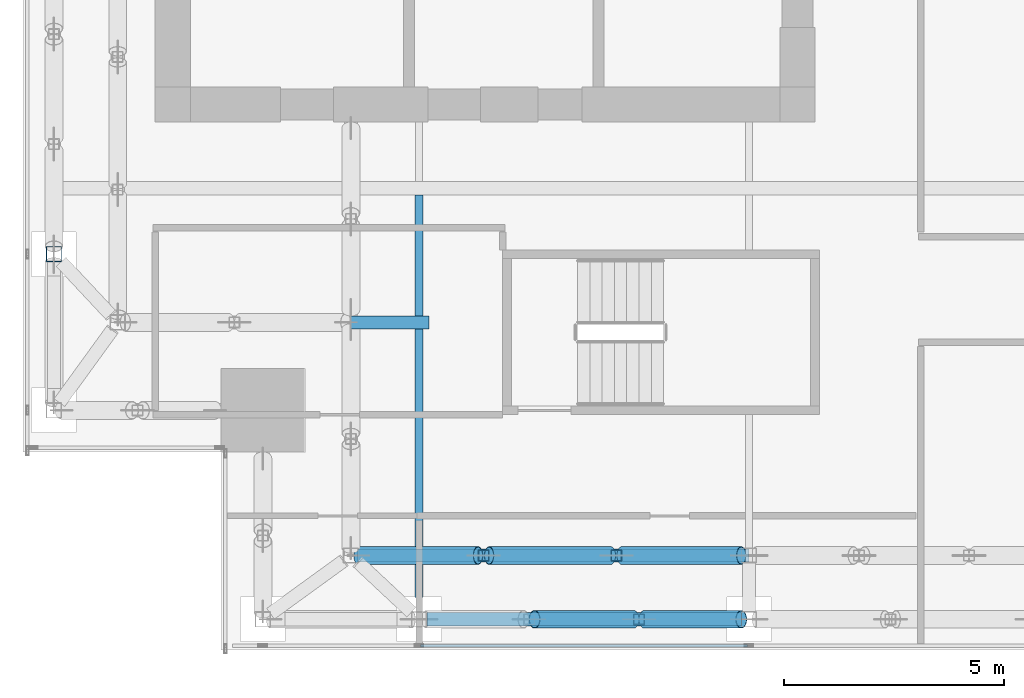
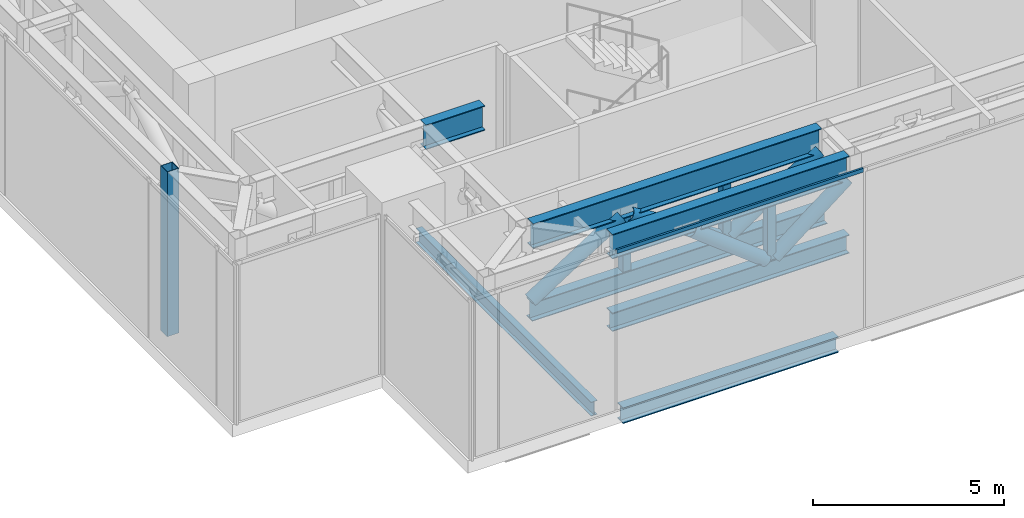
# One storey, part 3 of 36: 15 members, 2 beams, 1 element without a shape of its own.
"""IFC4 building model written with IfcOpenShell, lengths in metres."""

from ifc_helpers import new_model, si_unit, direction, frame, origin, origin_2d, place, context, subcontext, project, spatial, hollow_rectangle, hollow_circle, i_section, extrude, source, transform, mapped, material, material_profile, profile_set, type_object, element, aggregate, save


model = new_model("IFC4")

# Units and contexts
model_context = context("Model", 3, precision=1e-05, world=origin(), true_north=direction((0.0, 1.0)))
body_context = subcontext(model_context, "Body", "Model", "MODEL_VIEW")
ifc_project = project(units=[si_unit("LENGTHUNIT", "METRE"), si_unit("AREAUNIT", "SQUARE_METRE"), si_unit("VOLUMEUNIT", "CUBIC_METRE"), si_unit("PLANEANGLEUNIT", "RADIAN"), si_unit("MASSUNIT", "GRAM", prefix="KILO")], contexts=[model_context])

# Site, building, storey
site_placement = place(None, origin())
site = spatial("IfcSite", under=ifc_project, at=site_placement, CompositionType="ELEMENT")
building_placement = place(site_placement, origin())
building = spatial("IfcBuilding", under=site, at=building_placement, Name="Khomas Fold Tower", CompositionType="ELEMENT")
storey_placement = place(building_placement, frame((0.0, 0.0, 216.699951171875)))
storey = spatial("IfcBuildingStorey", under=building, at=storey_placement, Name="L48", CompositionType="ELEMENT", Elevation=216.699951171875)

# Beams
ifc_material_1 = material(Name="Steel S355", Category="steel")
ifc_material_profile_1 = material_profile(ifc_material_1, i_section(OverallWidth=0.300048828125, OverallDepth=0.5, WebThickness=0.014404296875, FlangeThickness=0.028076171875, at=origin_2d()), Name="HE 500 B")
ifc_profile_set_1 = profile_set([ifc_material_profile_1], Name="Steel S355")
beam_type_1 = type_object("IfcBeamType", Name="HE 500 B spandrel SB3", PredefinedType="SPANDREL", material=ifc_profile_set_1)
shared_shape_1 = source(origin(), body_context, "Body", "SweptSolid", [
    extrude(i_section(OverallWidth=0.300048828125, OverallDepth=0.5, WebThickness=0.014404296875, FlangeThickness=0.028076171875, at=origin_2d()), origin(), (0.0, 0.0, 1.0), 6.5),
])
beam_1_placement = place(storey_placement, frame((12.5, 3.699951171875, -0.64990234375), z_axis=(1.0, 0.0, 0.0), x_axis=(0.0, 1.0, 0.0)))
element("IfcBeam", 1, at=beam_1_placement, inside=storey, type_object=beam_type_1, Name="SB3", PredefinedType="SPANDREL", context=body_context, shape_type="MappedRepresentation", body=[
    mapped(shared_shape_1, transform((0.0, 0.0, 0.0))),
])
ifc_material_2 = material(Name="Steel S355", Category="steel")
ifc_material_profile_2 = material_profile(ifc_material_2, i_section(OverallWidth=0.18994140625, OverallDepth=0.449951171875, WebThickness=0.009521484375, FlangeThickness=0.0146484375, at=origin_2d()), Name="IPE 450")
ifc_profile_set_2 = profile_set([ifc_material_profile_2], Name="Steel S355")
beam_type_2 = type_object("IfcBeamType", Name="IPE 450 beam JB4", PredefinedType="BEAM", material=ifc_profile_set_2)
shared_shape_2 = source(origin(), body_context, "Body", "SweptSolid", [
    extrude(i_section(OverallWidth=0.18994140625, OverallDepth=0.449951171875, WebThickness=0.009521484375, FlangeThickness=0.0146484375, at=origin_2d()), origin(), (0.0, 0.0, 1.0), 9.150146484375),
])
beam_2_placement = place(storey_placement, frame((12.0, 4.199951171875, -0.625), z_axis=(0.0, 1.0, 0.0), x_axis=(-1.0, 0.0, 0.0)))
element("IfcBeam", 2, at=beam_2_placement, inside=storey, type_object=beam_type_2, Name="JB4", PredefinedType="BEAM", context=body_context, shape_type="MappedRepresentation", body=[
    mapped(shared_shape_2, transform((0.0, 0.0, 0.0))),
])

# Members
ifc_material_3 = material(Name="Steel S355", Category="steel")
ifc_material_profile_3 = material_profile(ifc_material_3, i_section(OverallWidth=0.300048828125, OverallDepth=0.7900390625, WebThickness=0.014892578125, FlangeThickness=0.028076171875, at=origin_2d()), Name="HE 800 A")
ifc_profile_set_3 = profile_set([ifc_material_profile_3], Name="Steel S355")
member_type_1 = type_object("IfcMemberType", Name="BELT TRUSS 3 TOP CHORD HE 800 A", PredefinedType="CHORD", material=ifc_profile_set_3)
shared_shape_3 = source(origin(), body_context, "Body", "SweptSolid", [
    extrude(i_section(OverallWidth=0.300048828125, OverallDepth=0.7900390625, WebThickness=0.014892578125, FlangeThickness=0.028076171875, at=origin_2d()), origin(), (0.0, 0.0, 1.0), 7.14990234375),
])
member_1_placement = place(storey_placement, frame((12.175048828125, 3.699951171875, 4.85498046875), z_axis=(1.0, 0.0, 0.0), x_axis=(0.0, 1.0, 0.0)))
element("IfcMember", 3, at=member_1_placement, inside=storey, type_object=member_type_1, Name="BT3-CT", PredefinedType="CHORD", context=body_context, shape_type="MappedRepresentation", body=[
    mapped(shared_shape_3, transform((0.0, 0.0, 0.0))),
])
ifc_material_4 = material(Name="Steel S355", Category="steel")
ifc_material_profile_4 = material_profile(ifc_material_4, i_section(OverallWidth=0.300048828125, OverallDepth=0.590087890625, WebThickness=0.012939453125, FlangeThickness=0.02490234375, at=origin_2d()), Name="HE 600 A")
ifc_profile_set_4 = profile_set([ifc_material_profile_4], Name="Steel S355")
member_type_2 = type_object("IfcMemberType", Name="BELT TRUSS 3 BOTTOM CHORD HE 600 A", PredefinedType="CHORD", material=ifc_profile_set_4)
shared_shape_4 = source(origin(), body_context, "Body", "SweptSolid", [
    extrude(i_section(OverallWidth=0.300048828125, OverallDepth=0.590087890625, WebThickness=0.012939453125, FlangeThickness=0.02490234375, at=origin_2d()), origin(), (0.0, 0.0, 1.0), 7.14990234375),
])
member_2_placement = place(storey_placement, frame((12.175048828125, 3.699951171875, 2.445068359375), z_axis=(1.0, 0.0, 0.0), x_axis=(0.0, 1.0, 0.0)))
element("IfcMember", 4, at=member_2_placement, inside=storey, type_object=member_type_2, Name="BT3-CB", PredefinedType="CHORD", context=body_context, shape_type="MappedRepresentation", body=[
    mapped(shared_shape_4, transform((0.0, 0.0, 0.0))),
])
ifc_material_5 = material(Name="Steel S355", Category="steel")
ifc_material_profile_5 = material_profile(ifc_material_5, hollow_circle(Radius=0.203125, WallThickness=0.012451171875, at=origin_2d()), Name="CHS 406.4x12.5")
ifc_profile_set_5 = profile_set([ifc_material_profile_5], Name="Steel S355")
member_type_3 = type_object("IfcMemberType", Name="BELT TRUSS 3 DIAGONAL CHS 406.4x12.5", PredefinedType="BRACE", material=ifc_profile_set_5)
shared_shape_5 = source(origin(), body_context, "Body", "SweptSolid", [
    extrude(hollow_circle(Radius=0.203125, WallThickness=0.012451171875, at=origin_2d()), origin(), (0.0, 0.0, 1.0), 2.798583984375),
])
member_3_placement = place(storey_placement, frame((17.125, 3.699951171875, 2.735107421875), z_axis=(0.786067028411, 0.0, 0.618141267709), x_axis=(0.0, 1.0, 0.0)))
element("IfcMember", 5, at=member_3_placement, inside=storey, type_object=member_type_3, Name="BT3-D", PredefinedType="BRACE", context=body_context, shape_type="MappedRepresentation", body=[
    mapped(shared_shape_5, transform((0.0, 0.0, 0.0))),
])
shared_shape_6 = source(origin(), body_context, "Body", "SweptSolid", [
    extrude(hollow_circle(Radius=0.203125, WallThickness=0.012451171875, at=origin_2d()), origin(), (0.0, 0.0, 1.0), 2.838134765625),
])
member_4_placement = place(storey_placement, frame((14.625, 3.699951171875, 4.465087890625), z_axis=(0.792758275848, 0.0, -0.609536148292), x_axis=(0.0, 1.0, 0.0)))
element("IfcMember", 6, at=member_4_placement, inside=storey, type_object=member_type_3, Name="BT3-D", PredefinedType="BRACE", context=body_context, shape_type="MappedRepresentation", body=[
    mapped(shared_shape_6, transform((0.0, 0.0, 0.0))),
])
ifc_material_6 = material(Name="Steel S355", Category="steel")
ifc_material_profile_6 = material_profile(ifc_material_6, hollow_rectangle(XDim=0.25, YDim=0.25, WallThickness=0.01611328125, at=origin_2d()), Name="SHS 250x250x16")
ifc_profile_set_6 = profile_set([ifc_material_profile_6], Name="Steel S355")
member_type_4 = type_object("IfcMemberType", Name="BELT TRUSS 3 MID POST SHS 250x250x16", PredefinedType="POST", material=ifc_profile_set_6)
shared_shape_7 = source(origin(), body_context, "Body", "SweptSolid", [
    extrude(hollow_rectangle(XDim=0.25, YDim=0.25, WallThickness=0.01611328125, at=origin_2d()), origin(), (0.0, 0.0, 1.0), 1.719970703125),
])
for number, where, z_axis, x_axis, name in (
    (7, (17.0, 3.699951171875, 2.739990234375), (0.0, 0.0, 1.0), (1.0, 0.0, 0.0), "BT3-M"),
    (8, (13.466552734375, 5.14990234375, 2.739990234375), (0.0, 0.0, 1.0), (1.0, 0.0, 0.0), "BT3-M"),
    (9, (16.4833984375, 5.14990234375, 2.739990234375), (0.0, 0.0, 1.0), (1.0, 0.0, 0.0), "BT3-M"),
):
    element("IfcMember", number, at=place(storey_placement, frame(where, z_axis=z_axis, x_axis=x_axis)), inside=storey, type_object=member_type_4, Name=name, PredefinedType="POST", context=body_context, shape_type="MappedRepresentation", body=[
        mapped(shared_shape_7, transform((0.0, 0.0, 0.0))),
    ])
ifc_material_7 = material(Name="Steel S355", Category="steel")
ifc_material_profile_7 = material_profile(ifc_material_7, i_section(OverallWidth=0.300048828125, OverallDepth=0.7900390625, WebThickness=0.014892578125, FlangeThickness=0.028076171875, at=origin_2d()), Name="HE 800 A")
ifc_profile_set_7 = profile_set([ifc_material_profile_7], Name="Steel S355")
member_type_5 = type_object("IfcMemberType", Name="BELT TRUSS 3 TOP CHORD LONG HE 800 A", PredefinedType="CHORD", material=ifc_profile_set_7)
shared_shape_8 = source(origin(), body_context, "Body", "SweptSolid", [
    extrude(i_section(OverallWidth=0.300048828125, OverallDepth=0.7900390625, WebThickness=0.014892578125, FlangeThickness=0.028076171875, at=origin_2d()), origin(), (0.0, 0.0, 1.0), 8.699951171875),
])
member_5_placement = place(storey_placement, frame((10.625, 5.14990234375, 4.85498046875), z_axis=(1.0, 0.0, 0.0), x_axis=(0.0, 1.0, 0.0)))
element("IfcMember", 10, at=member_5_placement, inside=storey, type_object=member_type_5, Name="BT3-CTL", PredefinedType="CHORD", context=body_context, shape_type="MappedRepresentation", body=[
    mapped(shared_shape_8, transform((0.0, 0.0, 0.0))),
])
ifc_material_8 = material(Name="Steel S355", Category="steel")
ifc_material_profile_8 = material_profile(ifc_material_8, i_section(OverallWidth=0.300048828125, OverallDepth=0.590087890625, WebThickness=0.012939453125, FlangeThickness=0.02490234375, at=origin_2d()), Name="HE 600 A")
ifc_profile_set_8 = profile_set([ifc_material_profile_8], Name="Steel S355")
member_type_6 = type_object("IfcMemberType", Name="BELT TRUSS 3 BOTTOM CHORD LONG HE 600 A", PredefinedType="CHORD", material=ifc_profile_set_8)
shared_shape_9 = source(origin(), body_context, "Body", "SweptSolid", [
    extrude(i_section(OverallWidth=0.300048828125, OverallDepth=0.590087890625, WebThickness=0.012939453125, FlangeThickness=0.02490234375, at=origin_2d()), origin(), (0.0, 0.0, 1.0), 8.89990234375),
])
member_6_placement = place(storey_placement, frame((10.60009765625, 5.14990234375, 2.445068359375), z_axis=(1.0, 0.0, 0.0), x_axis=(0.0, 1.0, 0.0)))
element("IfcMember", 11, at=member_6_placement, inside=storey, type_object=member_type_6, Name="BT3-CBL", PredefinedType="CHORD", context=body_context, shape_type="MappedRepresentation", body=[
    mapped(shared_shape_9, transform((0.0, 0.0, 0.0))),
])
shared_shape_10 = source(origin(), body_context, "Body", "SweptSolid", [
    extrude(hollow_circle(Radius=0.203125, WallThickness=0.012451171875, at=origin_2d()), origin(), (0.0, 0.0, 1.0), 3.220703125),
])
for number, where, z_axis, x_axis, name in (
    (12, (10.625, 5.14990234375, 2.735107421875), (0.843483522339, 0.0, 0.537155049815), (0.0, 1.0, 0.0), "BT3-D"),
    (13, (16.6083984375, 5.14990234375, 2.735107421875), (0.843483522339, 0.0, 0.537155049815), (0.0, 1.0, 0.0), "BT3-D"),
):
    element("IfcMember", number, at=place(storey_placement, frame(where, z_axis=z_axis, x_axis=x_axis)), inside=storey, type_object=member_type_3, Name=name, PredefinedType="BRACE", context=body_context, shape_type="MappedRepresentation", body=[
        mapped(shared_shape_10, transform((0.0, 0.0, 0.0))),
    ])
shared_shape_11 = source(origin(), body_context, "Body", "SweptSolid", [
    extrude(hollow_circle(Radius=0.203125, WallThickness=0.012451171875, at=origin_2d()), origin(), (0.0, 0.0, 1.0), 3.26318359375),
])
member_7_placement = place(storey_placement, frame((13.591552734375, 5.14990234375, 4.465087890625), z_axis=(0.847901616183, 0.0, -0.53015360913), x_axis=(0.0, 1.0, 0.0)))
element("IfcMember", 14, at=member_7_placement, inside=storey, type_object=member_type_3, Name="BT3-D", PredefinedType="BRACE", context=body_context, shape_type="MappedRepresentation", body=[
    mapped(shared_shape_11, transform((0.0, 0.0, 0.0))),
])
ifc_material_9 = material(Name="Steel S355", Category="steel")
ifc_material_profile_9 = material_profile(ifc_material_9, i_section(OverallWidth=0.300048828125, OverallDepth=0.7900390625, WebThickness=0.014892578125, FlangeThickness=0.028076171875, at=origin_2d()), Name="HE 800 A")
ifc_profile_set_9 = profile_set([ifc_material_profile_9], Name="Steel S355")
member_type_7 = type_object("IfcMemberType", Name="BELT TRUSS 3 TOP CHORD SHORTER HE 800 A", PredefinedType="CHORD", material=ifc_profile_set_9)
shared_shape_12 = source(origin(), body_context, "Body", "SweptSolid", [
    extrude(i_section(OverallWidth=0.300048828125, OverallDepth=0.7900390625, WebThickness=0.014892578125, FlangeThickness=0.028076171875, at=origin_2d()), origin(), (0.0, 0.0, 1.0), 1.780029296875),
])
member_8_placement = place(storey_placement, frame((10.449951171875, 10.449951171875, 4.85498046875), z_axis=(1.0, 0.0, 0.0), x_axis=(0.0, 1.0, 0.0)))
element("IfcMember", 15, at=member_8_placement, inside=storey, type_object=member_type_7, Name="BT3-CTSS", PredefinedType="CHORD", context=body_context, shape_type="MappedRepresentation", body=[
    mapped(shared_shape_12, transform((0.0, 0.0, 0.0))),
])
ifc_material_10 = material(Name="Steel S355", Category="steel")
ifc_material_profile_10 = material_profile(ifc_material_10, hollow_rectangle(XDim=0.35009765625, YDim=0.35009765625, WallThickness=0.01611328125, at=origin_2d()), Name="SHS 350x350x16")
ifc_profile_set_10 = profile_set([ifc_material_profile_10], Name="Steel S355")
member_type_8 = type_object("IfcMemberType", Name="BELT TRUSS 3 COLUMN POST SHS 350x350x16", PredefinedType="POST", material=ifc_profile_set_10)
shared_shape_13 = source(origin(), body_context, "Body", "SweptSolid", [
    extrude(hollow_rectangle(XDim=0.35009765625, YDim=0.35009765625, WallThickness=0.01611328125, at=origin_2d()), origin(), (0.0, 0.0, 1.0), 5.25),
])
member_9_placement = place(storey_placement, frame((3.699951171875, 12.0, 0.0), z_axis=(0.0, 0.0, 1.0), x_axis=(1.0, 0.0, 0.0)))
element("IfcMember", 16, at=member_9_placement, inside=storey, type_object=member_type_8, Name="BT3-P", PredefinedType="POST", context=body_context, shape_type="MappedRepresentation", body=[
    mapped(shared_shape_13, transform((0.0, 0.0, 0.0))),
])

# Curtain wall, member
ifc_material_11 = material(Name="Aluminium framed double glazing", Category="aluminium")
curtain_wall_type = type_object("IfcCurtainWallType", Name="SK-Plant louvre wall CW4", PredefinedType="NOTDEFINED", material=ifc_material_11)
curtain_wall_placement = place(storey_placement, origin())
curtain_wall = element("IfcCurtainWall", 17, at=curtain_wall_placement, inside=storey, type_object=curtain_wall_type, Name="CW4 run L48 00-0", PredefinedType="NOTDEFINED")
ifc_material_12 = material(Name="Aluminium", Category="aluminium")
ifc_material_profile_11 = material_profile(ifc_material_12, hollow_rectangle(XDim=0.06005859375, YDim=0.1201171875, WallThickness=0.00390625, at=origin_2d()), Name="SK-Plant louvre wall transom CW4-T")
ifc_profile_set_11 = profile_set([ifc_material_profile_11], Name="Aluminium")
member_type_9 = type_object("IfcMemberType", Name="SK-Plant louvre wall transom CW4-T", PredefinedType="USERDEFINED", material=ifc_profile_set_11)
shared_shape_14 = source(origin(), body_context, "Body", "SweptSolid", [
    extrude(hollow_rectangle(XDim=0.06005859375, YDim=0.1201171875, WallThickness=0.00390625, at=origin_2d()), origin(), (0.0, 0.0, 1.0), 7.43994140625),
])
member_10_placement = place(storey_placement, frame((12.030029296875, 3.10009765625, 5.0400390625), z_axis=(1.0, 0.0, 0.0), x_axis=(0.0, 1.0, 0.0)))
member_10 = element("IfcMember", 18, at=member_10_placement, type_object=member_type_9, Name="CW4 transom 3", ObjectType="TRANSOM", PredefinedType="USERDEFINED", context=body_context, shape_type="MappedRepresentation", body=[
    mapped(shared_shape_14, transform((0.0, 0.0, 0.0))),
])
aggregate(curtain_wall, [member_10])

save(model, "model.ifc")
